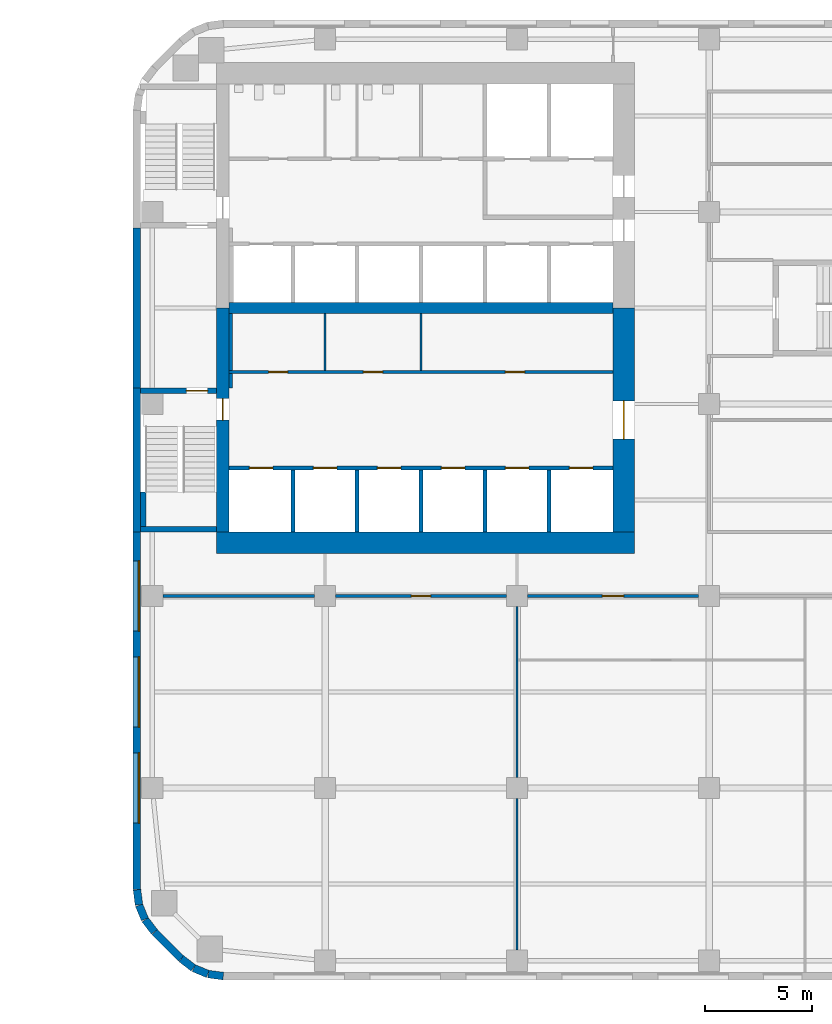
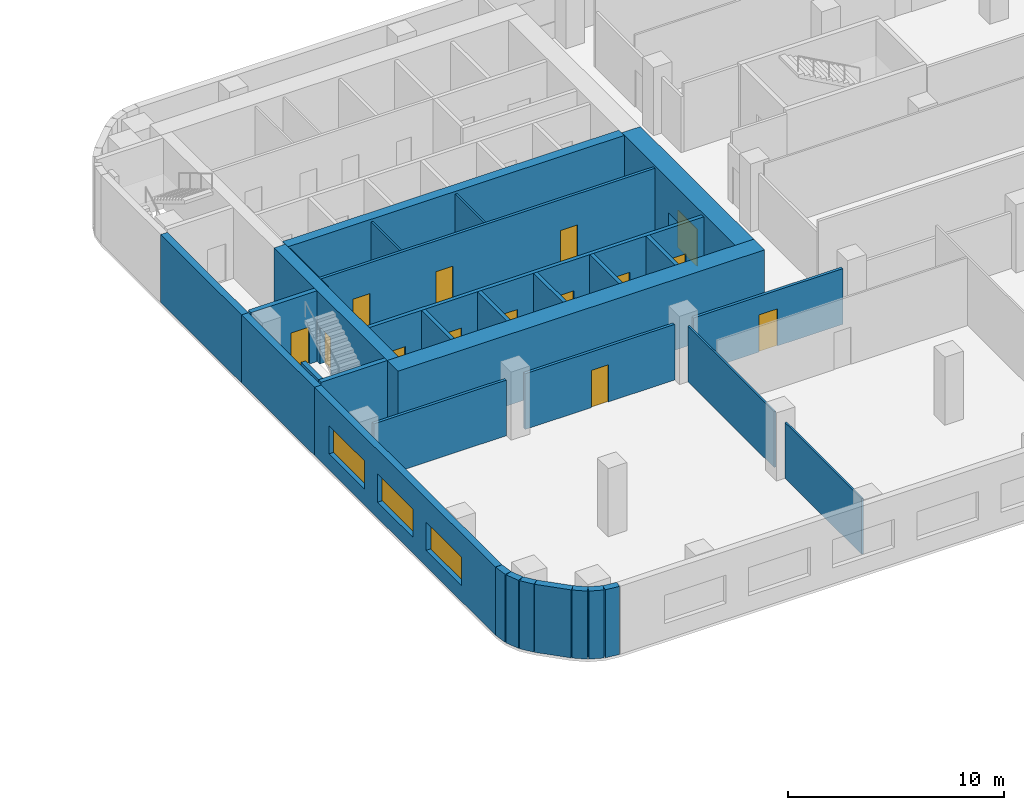
# One storey, part 9 of 16: 33 walls, 14 doors, 3 windows, 17 openings.
"""IFC4 building model written with IfcOpenShell, lengths in metres."""

import ifcopenshell
import ifcopenshell.guid

model = None  # the IFC model being written
_history = None  # IfcOwnerHistory: only IFC2X3 demands one
_inside = {}  # id of a spatial element -> (the spatial element, [elements in it])
_under = {}  # id of a project, library or spatial element -> (it, [spatial elements below it])
_declared = {}  # id of a project -> (the project, [libraries it declares])
_typed = {}  # id of a type object -> (the type object, [elements of that type])
_made_of = {}  # id of a material, layer set ... -> (it, [elements and type objects made of it])


def new_model(schema):
    """Start an empty IFC model of exactly this schema.

    Asked for "IFC4X3", IfcOpenShell would pick the latest addendum, in which some entities
    have other attributes; the version numbers below select the first issue.
    IFC2X3 requires an IfcOwnerHistory on every rooted entity: one is made here for all.
    """
    global model, _history
    if schema == "IFC4X3":
        model = ifcopenshell.file(schema_version=(4, 3, 0, 0))
    else:
        model = ifcopenshell.file(schema=schema)
    _inside.clear()
    _under.clear()
    _declared.clear()
    _typed.clear()
    _made_of.clear()
    _history = None
    if model.schema == "IFC2X3":
        org = make("IfcOrganization", Name="unknown")
        user = make(
            "IfcPersonAndOrganization",
            ThePerson=make("IfcPerson", FamilyName="unknown"),
            TheOrganization=org,
        )
        app = make(
            "IfcApplication",
            ApplicationDeveloper=org,
            Version="unknown",
            ApplicationFullName="unknown",
            ApplicationIdentifier="unknown",
        )
        _history = make(
            "IfcOwnerHistory",
            OwningUser=user,
            OwningApplication=app,
            ChangeAction="ADDED",
            CreationDate=0,
        )
    return model


def make(cls, **values):
    """One entity of the class cls with the attributes given. An attribute that is None is left unset."""
    return model.create_entity(
        cls, **{name: value for name, value in values.items() if value is not None}
    )


def rooted(cls, **values):
    """An entity with a GlobalId (a new one), such as an element, a storey or a relation."""
    return make(cls, GlobalId=ifcopenshell.guid.new(), OwnerHistory=_history, **values)


def si_unit(unit_type, name, prefix=None):
    """IfcSIUnit, for example si_unit("LENGTHUNIT", "METRE", prefix="MILLI")."""
    return make("IfcSIUnit", UnitType=unit_type, Prefix=prefix, Name=name)


def assignment(units):
    """IfcUnitAssignment: the units of a project."""
    return None if units is None else make("IfcUnitAssignment", Units=units)


def point(xyz):
    """IfcCartesianPoint."""
    return None if xyz is None else make("IfcCartesianPoint", Coordinates=xyz)


def direction(xyz):
    """IfcDirection."""
    return None if xyz is None else make("IfcDirection", DirectionRatios=xyz)


def frame(location, z_axis=None, x_axis=None):
    """IfcAxis2Placement3D, a coordinate frame: its origin and axes. An axis left out is left unset."""
    return make(
        "IfcAxis2Placement3D",
        Location=point(location),
        Axis=direction(z_axis),
        RefDirection=direction(x_axis),
    )


def frame_2d(location, x_axis=None):
    """IfcAxis2Placement2D, a coordinate frame in the plane: its origin and x axis."""
    return make(
        "IfcAxis2Placement2D", Location=point(location), RefDirection=direction(x_axis)
    )


def origin():
    """The frame at (0, 0, 0) with its axes left unset."""
    return frame((0.0, 0.0, 0.0))


def place(relative_to, where):
    """IfcLocalPlacement: puts the frame where relative to a parent placement (None: the world)."""
    return make(
        "IfcLocalPlacement", PlacementRelTo=relative_to, RelativePlacement=where
    )


def context(
    kind, dimensions, precision=None, world=None, true_north=None, identifier=None
):
    """IfcGeometricRepresentationContext, for example the 3D "Model" context."""
    return make(
        "IfcGeometricRepresentationContext",
        ContextIdentifier=identifier,
        ContextType=kind,
        CoordinateSpaceDimension=dimensions,
        Precision=precision,
        WorldCoordinateSystem=world,
        TrueNorth=true_north,
    )


def subcontext(parent, identifier, kind, view, scale=None):
    """IfcGeometricRepresentationSubContext, for example "Body" below "Model"."""
    return make(
        "IfcGeometricRepresentationSubContext",
        ContextIdentifier=identifier,
        ContextType=kind,
        ParentContext=parent,
        TargetScale=scale,
        TargetView=view,
    )


def project(units=None, contexts=None):
    """IfcProject with its units and contexts."""
    return rooted(
        "IfcProject",
        Name="project",
        RepresentationContexts=contexts,
        UnitsInContext=assignment(units),
    )


def spatial(cls, under=None, at=None, **own):
    """A site, building, storey or space (cls), placed at a placement, below another one or the project."""
    s = rooted(cls, ObjectPlacement=at, **own)
    if under is not None:
        _under.setdefault(under.id(), (under, []))[1].append(s)
    return s


def profile(cls, at=None, kind="AREA", **sizes):
    """A parametric profile (cls). Its sizes go by their IFC names, for example OverallWidth=200.0."""
    return make(cls, ProfileType=kind, Position=at, **sizes)


def rectangle(**sizes):
    """IfcRectangleProfileDef."""
    return profile("IfcRectangleProfileDef", **sizes)


def extrude(swept, where, along, depth):
    """IfcExtrudedAreaSolid: the profile swept, set in the frame where, extruded along a direction by depth."""
    return make(
        "IfcExtrudedAreaSolid",
        SweptArea=swept,
        Position=where,
        ExtrudedDirection=direction(along),
        Depth=depth,
    )


def shape(context_of_items, identifier, shape_type, items):
    """IfcShapeRepresentation: the items that make up one representation, for example the "Body"."""
    return make(
        "IfcShapeRepresentation",
        ContextOfItems=context_of_items,
        RepresentationIdentifier=identifier,
        RepresentationType=shape_type,
        Items=items,
    )


def material(Name=None, Category=None):
    """IfcMaterial."""
    return make("IfcMaterial", Name=Name, Category=Category)


def layer(
    of_material, thickness, ventilated=None, Name=None, Category=None, Priority=None
):
    """IfcMaterialLayer: one layer of a wall or slab, of a material (None: an air gap)."""
    return make(
        "IfcMaterialLayer",
        Material=of_material,
        LayerThickness=thickness,
        IsVentilated=ventilated,
        Name=Name,
        Category=Category,
        Priority=Priority,
    )


def layer_set(layers, Name=None):
    """IfcMaterialLayerSet."""
    return make("IfcMaterialLayerSet", MaterialLayers=layers, LayerSetName=Name)


def made_of(thing, what):
    """Note that an element or type object is made of a material, layer set ...; save() writes the relation."""
    if what is not None:
        _made_of.setdefault(what.id(), (what, []))[1].append(thing)
    return thing


def type_object(cls, material=None, **own):
    """A type object (cls), such as IfcWallType, which elements share."""
    return made_of(rooted(cls, **own), material)


def element(
    cls,
    number,
    at=None,
    inside=None,
    cuts=None,
    type_object=None,
    material=None,
    context=None,
    identifier="Body",
    shape_type=None,
    held_by="IfcProductDefinitionShape",
    body=None,
    shapes=None,
    **own,
):
    """One element of the class cls, such as IfcWall. Its Tag is "e" and its number.

    at: its placement. inside: the storey or other place that contains it. cuts: it is an
    opening in that element (IfcRelVoidsElement). A single representation is given by context,
    identifier, shape_type and body (its items); several are given by shapes. held_by: the class
    of the entity that holds the representations. save() writes the other relations.
    """
    e = rooted(cls, Tag="e%d" % number, ObjectPlacement=at, **own)
    if body is not None:
        shapes = [shape(context, identifier, shape_type, body)]
    if shapes is not None:
        e.Representation = make(held_by, Representations=shapes)
    if inside is not None:
        _inside.setdefault(inside.id(), (inside, []))[1].append(e)
    if cuts is not None:
        rooted(
            "IfcRelVoidsElement", RelatingBuildingElement=cuts, RelatedOpeningElement=e
        )
    if type_object is not None:
        _typed.setdefault(type_object.id(), (type_object, []))[1].append(e)
    return made_of(e, material)


def fill(opening, filler):
    """IfcRelFillsElement: the door or window that sits in an opening."""
    return rooted(
        "IfcRelFillsElement",
        RelatingOpeningElement=opening,
        RelatedBuildingElement=filler,
    )


def aggregate(whole, parts):
    """IfcRelAggregates: a whole, such as a stair, and the parts it consists of."""
    return rooted("IfcRelAggregates", RelatingObject=whole, RelatedObjects=parts)


def save(model, path):
    """Write the relations noted so far, then the file.

    IfcRelAggregates (storeys below a building ...), IfcRelContainedInSpatialStructure (elements
    in a storey), IfcRelDefinesByType, IfcRelAssociatesMaterial and IfcRelDeclares: one each for
    every whole, place, type object, material and project.
    """
    for whole, parts in _under.values():
        aggregate(whole, parts)
    for where, things in _inside.values():
        rooted(
            "IfcRelContainedInSpatialStructure",
            RelatedElements=things,
            RelatingStructure=where,
        )
    for kind, things in _typed.values():
        rooted("IfcRelDefinesByType", RelatedObjects=things, RelatingType=kind)
    for what, things in _made_of.values():
        rooted("IfcRelAssociatesMaterial", RelatedObjects=things, RelatingMaterial=what)
    for by, libraries in _declared.values():
        rooted("IfcRelDeclares", RelatingContext=by, RelatedDefinitions=libraries)
    model.write(path)


model = new_model("IFC4")

# Units and contexts
model_context = context("Model", 3, precision=1e-05, world=origin(), true_north=direction((0.0, 1.0)))
body_context = subcontext(model_context, "Body", "Model", "MODEL_VIEW")
ifc_project = project(units=[si_unit("LENGTHUNIT", "METRE"), si_unit("AREAUNIT", "SQUARE_METRE"), si_unit("VOLUMEUNIT", "CUBIC_METRE"), si_unit("PLANEANGLEUNIT", "RADIAN"), si_unit("MASSUNIT", "GRAM", prefix="KILO")], contexts=[model_context])

# Site, building, storey
site_placement = place(None, origin())
site = spatial("IfcSite", under=ifc_project, at=site_placement, CompositionType="ELEMENT")
building_placement = place(site_placement, origin())
building = spatial("IfcBuilding", under=site, at=building_placement, Name="Cinnabar Reach Civic Tower", CompositionType="ELEMENT")
storey_placement = place(building_placement, frame((0.0, 0.0, 38.0)))
storey = spatial("IfcBuildingStorey", under=building, at=storey_placement, Name="L08", CompositionType="ELEMENT", Elevation=38.0)

# Walls
ifc_material_1 = material(Name="Facing brick with insulated backing", Category="masonry")
ifc_layer_1 = layer(ifc_material_1, 0.36)
ifc_layer_set_1 = layer_set([ifc_layer_1], Name="Brick corner wall")
wall_type_1 = type_object("IfcWallType", Name="Brick corner wall", PredefinedType="STANDARD", material=ifc_layer_set_1)
for number, where, z_axis, x_axis, name in (
    (1, (0.183, 4.2314, 0.0), (0.0, 0.0, 1.0), (0.13055608231, -0.99144092581, 0.0), "Brick corner wall"),
    (2, (0.2819, 3.5027, 0.0), (0.0, 0.0, 1.0), (0.382702709855, -0.923871547278, 0.0), "Brick corner wall"),
):
    element("IfcWall", number, at=place(storey_placement, frame(where, z_axis=z_axis, x_axis=x_axis)), inside=storey, type_object=wall_type_1, Name=name, PredefinedType="STANDARD", context=body_context, shape_type="SweptSolid", body=[
        extrude(rectangle(XDim=0.7131, YDim=0.36, at=frame_2d((0.3565, 0.0))), origin(), (0.0, 0.0, 1.0), 3.85),
    ])
for number, where, z_axis, x_axis, name in (
    (3, (0.566, 2.8245, 0.0), (0.0, 0.0, 1.0), (0.608802368033, -0.793321924995, 0.0), "Brick corner wall"),
    (4, (2.2587, 1.0002, 0.0), (0.0, 0.0, 1.0), (0.793321924995, -0.608802368033, 0.0), "Brick corner wall"),
):
    element("IfcWall", number, at=place(storey_placement, frame(where, z_axis=z_axis, x_axis=x_axis)), inside=storey, type_object=wall_type_1, Name=name, PredefinedType="STANDARD", context=body_context, shape_type="SweptSolid", body=[
        extrude(rectangle(XDim=0.7132, YDim=0.36, at=frame_2d((0.3566, 0.0))), origin(), (0.0, 0.0, 1.0), 3.85),
    ])
for number, where, z_axis, x_axis, name in (
    (5, (2.8439, 0.5548, 0.0), (0.0, 0.0, 1.0), (0.923871547278, -0.382702709855, 0.0), "Brick corner wall"),
    (6, (3.5244, 0.2761, 0.0), (0.0, 0.0, 1.0), (0.99144092581, -0.13055608231, 0.0), "Brick corner wall"),
):
    element("IfcWall", number, at=place(storey_placement, frame(where, z_axis=z_axis, x_axis=x_axis)), inside=storey, type_object=wall_type_1, Name=name, PredefinedType="STANDARD", context=body_context, shape_type="SweptSolid", body=[
        extrude(rectangle(XDim=0.7131, YDim=0.36, at=frame_2d((0.3565, 0.0))), origin(), (0.0, 0.0, 1.0), 3.85),
    ])
ifc_layer_2 = layer(ifc_material_1, 0.36)
ifc_layer_set_2 = layer_set([ifc_layer_2], Name="Brick pier and spandrel wall")
wall_type_2 = type_object("IfcWallType", Name="Brick pier and spandrel wall", PredefinedType="STANDARD", material=ifc_layer_set_2)
wall_1_placement = place(storey_placement, frame((0.18, 35.25, 0.0), z_axis=(0.0, 0.0, 1.0), x_axis=(0.0, -1.0, 0.0)))
element("IfcWall", 7, at=wall_1_placement, inside=storey, type_object=wall_type_2, Name="Brick facade wall", PredefinedType="STANDARD", context=body_context, shape_type="SweptSolid", body=[
    extrude(rectangle(XDim=7.5, YDim=0.36, at=frame_2d((3.75, 0.0))), origin(), (0.0, 0.0, 1.0), 3.85),
])
wall_2_placement = place(storey_placement, frame((0.18, 27.75, 0.0), z_axis=(0.0, 0.0, 1.0), x_axis=(0.0, -1.0, 0.0)))
element("IfcWall", 8, at=wall_2_placement, inside=storey, type_object=wall_type_2, Name="Brick facade wall", PredefinedType="STANDARD", context=body_context, shape_type="SweptSolid", body=[
    extrude(rectangle(XDim=6.75, YDim=0.36, at=frame_2d((3.375, 0.0))), origin(), (0.0, 0.0, 1.0), 3.85),
])

# Wall, openings, windows
wall_3_placement = place(storey_placement, frame((0.18, 21.0, 0.0), z_axis=(0.0, 0.0, 1.0), x_axis=(0.0, -1.0, 0.0)))
wall_3 = element("IfcWall", 9, at=wall_3_placement, inside=storey, type_object=wall_type_2, Name="Brick facade wall", PredefinedType="STANDARD", context=body_context, shape_type="SweptSolid", body=[
    extrude(rectangle(XDim=16.7574, YDim=0.36, at=frame_2d((8.3787, 0.0))), origin(), (0.0, 0.0, 1.0), 3.85),
])
opening_1_placement = place(wall_3_placement, frame((1.35, 0.0, 0.9)))
opening_1 = element("IfcOpeningElement", 10, at=opening_1_placement, cuts=wall_3, Name="Opening W1102", PredefinedType="OPENING", context=body_context, shape_type="SweptSolid", body=[
    extrude(rectangle(XDim=3.3, YDim=1.6, at=frame_2d((1.65, 0.8))), frame((0.0, 0.19, 0.0), z_axis=(0.0, -1.0, 0.0), x_axis=(1.0, 0.0, 0.0)), (0.0, 0.0, 1.0), 0.38),
])
opening_2_placement = place(wall_3_placement, frame((5.85, 0.0, 0.9)))
opening_2 = element("IfcOpeningElement", 11, at=opening_2_placement, cuts=wall_3, Name="Opening W1103", PredefinedType="OPENING", context=body_context, shape_type="SweptSolid", body=[
    extrude(rectangle(XDim=3.3, YDim=1.6, at=frame_2d((1.65, 0.8))), frame((0.0, 0.19, 0.0), z_axis=(0.0, -1.0, 0.0), x_axis=(1.0, 0.0, 0.0)), (0.0, 0.0, 1.0), 0.38),
])
opening_3_placement = place(wall_3_placement, frame((10.35, 0.0, 0.9)))
opening_3 = element("IfcOpeningElement", 12, at=opening_3_placement, cuts=wall_3, Name="Opening W1104", PredefinedType="OPENING", context=body_context, shape_type="SweptSolid", body=[
    extrude(rectangle(XDim=3.3, YDim=1.6, at=frame_2d((1.65, 0.8))), frame((0.0, 0.19, 0.0), z_axis=(0.0, -1.0, 0.0), x_axis=(1.0, 0.0, 0.0)), (0.0, 0.0, 1.0), 0.38),
])
ifc_material_2 = material(Name="Clear double glazing in aluminium frame", Category="aluminium")
window_type = type_object("IfcWindowType", Name="Deep-set window A", PartitioningType="SINGLE_PANEL", PredefinedType="WINDOW", material=ifc_material_2)
window_1_placement = place(opening_1_placement, origin())
window_1 = element("IfcWindow", 13, at=window_1_placement, inside=storey, type_object=window_type, Name="Window west face", OverallHeight=1.6, OverallWidth=3.3, PartitioningType="SINGLE_PANEL", PredefinedType="WINDOW", context=body_context, shape_type="SweptSolid", body=[
    extrude(rectangle(XDim=3.3, YDim=1.6, at=frame_2d((1.65, 0.8))), frame((0.0, 0.13, 0.0), z_axis=(0.0, -1.0, 0.0), x_axis=(1.0, 0.0, 0.0)), (0.0, 0.0, 1.0), 0.06),
])
fill(opening_1, window_1)
window_2_placement = place(opening_2_placement, origin())
window_2 = element("IfcWindow", 14, at=window_2_placement, inside=storey, type_object=window_type, Name="Window west face", OverallHeight=1.6, OverallWidth=3.3, PartitioningType="SINGLE_PANEL", PredefinedType="WINDOW", context=body_context, shape_type="SweptSolid", body=[
    extrude(rectangle(XDim=3.3, YDim=1.6, at=frame_2d((1.65, 0.8))), frame((0.0, 0.13, 0.0), z_axis=(0.0, -1.0, 0.0), x_axis=(1.0, 0.0, 0.0)), (0.0, 0.0, 1.0), 0.06),
])
fill(opening_2, window_2)
window_3_placement = place(opening_3_placement, origin())
window_3 = element("IfcWindow", 15, at=window_3_placement, inside=storey, type_object=window_type, Name="Window west face", OverallHeight=1.6, OverallWidth=3.3, PartitioningType="SINGLE_PANEL", PredefinedType="WINDOW", context=body_context, shape_type="SweptSolid", body=[
    extrude(rectangle(XDim=3.3, YDim=1.6, at=frame_2d((1.65, 0.8))), frame((0.0, 0.13, 0.0), z_axis=(0.0, -1.0, 0.0), x_axis=(1.0, 0.0, 0.0)), (0.0, 0.0, 1.0), 0.06),
])
fill(opening_3, window_3)

# Walls
wall_4_placement = place(storey_placement, frame((1.006, 2.2486, 0.0), z_axis=(0.0, 0.0, 1.0), x_axis=(0.707106781187, -0.707106781187, 0.0)))
element("IfcWall", 16, at=wall_4_placement, inside=storey, type_object=wall_type_2, Name="Brick facade wall", PredefinedType="STANDARD", context=body_context, shape_type="SweptSolid", body=[
    extrude(rectangle(XDim=1.7573, YDim=0.36, at=frame_2d((0.8787, 0.0))), origin(), (0.0, 0.0, 1.0), 3.85),
])
ifc_material_3 = material(Name="Concrete C70", Category="concrete")
ifc_layer_3 = layer(ifc_material_3, 1.0)
ifc_layer_set_3 = layer_set([ifc_layer_3], Name="Core wall 1000 EI 180")
wall_type_3 = type_object("IfcWallType", Name="Core wall 1000 EI 180", PredefinedType="SOLIDWALL", material=ifc_layer_set_3)
wall_5_placement = place(storey_placement, frame((3.9, 20.5, 0.0), z_axis=(0.0, 0.0, 1.0), x_axis=(1.0, 0.0, 0.0)))
element("IfcWall", 17, at=wall_5_placement, inside=storey, type_object=wall_type_3, Name="Core wall T1 L08 S", PredefinedType="SOLIDWALL", context=body_context, shape_type="SweptSolid", body=[
    extrude(rectangle(XDim=19.6, YDim=1.0, at=frame_2d((9.8, 0.0))), origin(), (0.0, 0.0, 1.0), 4.0),
])

# Wall, opening, door
wall_6_placement = place(storey_placement, frame((23.0, 21.0, 0.0), z_axis=(0.0, 0.0, 1.0), x_axis=(0.0, 1.0, 0.0)))
wall_6 = element("IfcWall", 18, at=wall_6_placement, inside=storey, type_object=wall_type_3, Name="Core wall T1 L08 E", PredefinedType="SOLIDWALL", context=body_context, shape_type="SweptSolid", body=[
    extrude(rectangle(XDim=10.5, YDim=1.0, at=frame_2d((5.25, 0.0))), origin(), (0.0, 0.0, 1.0), 4.0),
])
opening_4_placement = place(wall_6_placement, frame((4.35, 0.0, 0.0)))
opening_4 = element("IfcOpeningElement", 19, at=opening_4_placement, cuts=wall_6, Name="Opening D3330", PredefinedType="OPENING", context=body_context, shape_type="SweptSolid", body=[
    extrude(rectangle(XDim=1.8, YDim=2.1, at=frame_2d((0.9, 1.05))), frame((0.0, 0.51, 0.0), z_axis=(0.0, -1.0, 0.0), x_axis=(1.0, 0.0, 0.0)), (0.0, 0.0, 1.0), 1.02),
])
ifc_material_4 = material(Name="Timber door leaf in steel frame", Category="steel")
door_type_1 = type_object("IfcDoorType", Name="Double swing door 1800 x 2100 T1", OperationType="DOUBLE_DOOR_DOUBLE_SWING", PredefinedType="DOOR", material=ifc_material_4)
door_1_placement = place(opening_4_placement, origin())
door_1 = element("IfcDoor", 20, at=door_1_placement, inside=storey, type_object=door_type_1, Name="Door D3330", OperationType="DOUBLE_DOOR_DOUBLE_SWING", OverallHeight=2.1, OverallWidth=1.8, PredefinedType="DOOR", context=body_context, shape_type="SweptSolid", body=[
    extrude(rectangle(XDim=1.8, YDim=2.1, at=frame_2d((0.9, 1.05))), frame((0.0, 0.025, 0.0), z_axis=(0.0, -1.0, 0.0), x_axis=(1.0, 0.0, 0.0)), (0.0, 0.0, 1.0), 0.05),
])
fill(opening_4, door_1)

# Wall
ifc_material_5 = material(Name="Concrete C60", Category="concrete")
ifc_layer_4 = layer(ifc_material_5, 0.5)
ifc_layer_set_4 = layer_set([ifc_layer_4], Name="Core wall 500 EI 180")
wall_type_4 = type_object("IfcWallType", Name="Core wall 500 EI 180", PredefinedType="SOLIDWALL", material=ifc_layer_set_4)
wall_7_placement = place(storey_placement, frame((4.5, 31.5, 0.0), z_axis=(0.0, 0.0, 1.0), x_axis=(1.0, 0.0, 0.0)))
element("IfcWall", 21, at=wall_7_placement, inside=storey, type_object=wall_type_4, Name="Core spine wall T1 L08", PredefinedType="SOLIDWALL", context=body_context, shape_type="SweptSolid", body=[
    extrude(rectangle(XDim=18.0, YDim=0.5, at=frame_2d((9.0, 0.0))), origin(), (0.0, 0.0, 1.0), 4.0),
])

# Wall, opening, door
ifc_layer_5 = layer(ifc_material_3, 0.6)
ifc_layer_set_5 = layer_set([ifc_layer_5], Name="Core wall 600 EI 180")
wall_type_5 = type_object("IfcWallType", Name="Core wall 600 EI 180", PredefinedType="SOLIDWALL", material=ifc_layer_set_5)
wall_8_placement = place(storey_placement, frame((4.2, 31.5, 0.0), z_axis=(0.0, 0.0, 1.0), x_axis=(0.0, -1.0, 0.0)))
wall_8 = element("IfcWall", 22, at=wall_8_placement, inside=storey, type_object=wall_type_5, Name="Core wall T1 L08 W2", PredefinedType="SOLIDWALL", context=body_context, shape_type="SweptSolid", body=[
    extrude(rectangle(XDim=10.5, YDim=0.6, at=frame_2d((5.25, 0.0))), origin(), (0.0, 0.0, 1.0), 4.0),
])
opening_5_placement = place(wall_8_placement, frame((4.25, 0.0, 0.0)))
opening_5 = element("IfcOpeningElement", 23, at=opening_5_placement, cuts=wall_8, Name="Opening D3314", PredefinedType="OPENING", context=body_context, shape_type="SweptSolid", body=[
    extrude(rectangle(XDim=1.0, YDim=2.1, at=frame_2d((0.5, 1.05))), frame((0.0, 0.31, 0.0), z_axis=(0.0, -1.0, 0.0), x_axis=(1.0, 0.0, 0.0)), (0.0, 0.0, 1.0), 0.62),
])
door_type_2 = type_object("IfcDoorType", Name="Stair door 1000 x 2100 T1", OperationType="SINGLE_SWING_LEFT", PredefinedType="DOOR", material=ifc_material_4)
door_2_placement = place(opening_5_placement, frame((1.0, 0.0, 0.0), z_axis=(0.0, 0.0, 1.0), x_axis=(-1.0, 0.0, 0.0)))
door_2 = element("IfcDoor", 24, at=door_2_placement, inside=storey, type_object=door_type_2, Name="Door D3314", OperationType="SINGLE_SWING_RIGHT", OverallHeight=2.1, OverallWidth=1.0, PredefinedType="DOOR", context=body_context, shape_type="SweptSolid", body=[
    extrude(rectangle(XDim=1.0, YDim=2.1, at=frame_2d((0.5, 1.05))), frame((0.0, 0.025, 0.0), z_axis=(0.0, -1.0, 0.0), x_axis=(1.0, 0.0, 0.0)), (0.0, 0.0, 1.0), 0.05),
])
fill(opening_5, door_2)

ifc_material_6 = material(Name="Gypsum board on steel studs, double layer", Category="steel")
ifc_layer_6 = layer(ifc_material_6, 0.15)
ifc_layer_set_6 = layer_set([ifc_layer_6], Name="Corridor wall 150 T1")
wall_type_6 = type_object("IfcWallType", Name="Corridor wall 150 T1", PredefinedType="PARTITIONING", material=ifc_layer_set_6)
wall_9_placement = place(storey_placement, frame((18.5, 18.0, 0.0), z_axis=(0.0, 0.0, 1.0), x_axis=(1.0, 0.0, 0.0)))
wall_9 = element("IfcWall", 25, at=wall_9_placement, inside=storey, type_object=wall_type_6, Name="Corridor wall 23", PredefinedType="PARTITIONING", context=body_context, shape_type="SweptSolid", body=[
    extrude(rectangle(XDim=8.0, YDim=0.15, at=frame_2d((4.0, 0.0))), origin(), (0.0, 0.0, 1.0), 3.15),
])
opening_6_placement = place(wall_9_placement, frame((3.5, 0.0, 0.0)))
opening_6 = element("IfcOpeningElement", 26, at=opening_6_placement, cuts=wall_9, Name="Opening D3346", PredefinedType="OPENING", context=body_context, shape_type="SweptSolid", body=[
    extrude(rectangle(XDim=1.0, YDim=2.1, at=frame_2d((0.5, 1.05))), frame((0.0, 0.085, 0.0), z_axis=(0.0, -1.0, 0.0), x_axis=(1.0, 0.0, 0.0)), (0.0, 0.0, 1.0), 0.17),
])
door_type_3 = type_object("IfcDoorType", Name="Tenancy entrance door 1000 x 2100 T1", OperationType="SINGLE_SWING_LEFT", PredefinedType="DOOR", material=ifc_material_4)
door_3_placement = place(opening_6_placement, frame((1.0, 0.0, 0.0), z_axis=(0.0, 0.0, 1.0), x_axis=(-1.0, 0.0, 0.0)))
door_3 = element("IfcDoor", 27, at=door_3_placement, inside=storey, type_object=door_type_3, Name="Door D3346", OperationType="SINGLE_SWING_LEFT", OverallHeight=2.1, OverallWidth=1.0, PredefinedType="DOOR", context=body_context, shape_type="SweptSolid", body=[
    extrude(rectangle(XDim=1.0, YDim=2.1, at=frame_2d((0.5, 1.05))), frame((0.0, 0.025, 0.0), z_axis=(0.0, -1.0, 0.0), x_axis=(1.0, 0.0, 0.0)), (0.0, 0.0, 1.0), 0.05),
])
fill(opening_6, door_3)

wall_10_placement = place(storey_placement, frame((9.5, 18.0, 0.0), z_axis=(0.0, 0.0, 1.0), x_axis=(1.0, 0.0, 0.0)))
wall_10 = element("IfcWall", 28, at=wall_10_placement, inside=storey, type_object=wall_type_6, Name="Corridor wall 24", PredefinedType="PARTITIONING", context=body_context, shape_type="SweptSolid", body=[
    extrude(rectangle(XDim=8.0, YDim=0.15, at=frame_2d((4.0, 0.0))), origin(), (0.0, 0.0, 1.0), 3.15),
])
opening_7_placement = place(wall_10_placement, frame((3.55, 0.0, 0.0)))
opening_7 = element("IfcOpeningElement", 29, at=opening_7_placement, cuts=wall_10, Name="Opening D3345", PredefinedType="OPENING", context=body_context, shape_type="SweptSolid", body=[
    extrude(rectangle(XDim=0.9, YDim=2.1, at=frame_2d((0.45, 1.05))), frame((0.0, 0.085, 0.0), z_axis=(0.0, -1.0, 0.0), x_axis=(1.0, 0.0, 0.0)), (0.0, 0.0, 1.0), 0.17),
])
door_type_4 = type_object("IfcDoorType", Name="Single swing door 900 x 2100 corridor T1", OperationType="SINGLE_SWING_LEFT", PredefinedType="DOOR", material=ifc_material_4)
door_4_placement = place(opening_7_placement, frame((0.9, 0.0, 0.0), z_axis=(0.0, 0.0, 1.0), x_axis=(-1.0, 0.0, 0.0)))
door_4 = element("IfcDoor", 30, at=door_4_placement, inside=storey, type_object=door_type_4, Name="Door D3345", OperationType="SINGLE_SWING_LEFT", OverallHeight=2.1, OverallWidth=0.9, PredefinedType="DOOR", context=body_context, shape_type="SweptSolid", body=[
    extrude(rectangle(XDim=0.9, YDim=2.1, at=frame_2d((0.45, 1.05))), frame((0.0, 0.025, 0.0), z_axis=(0.0, -1.0, 0.0), x_axis=(1.0, 0.0, 0.0)), (0.0, 0.0, 1.0), 0.05),
])
fill(opening_7, door_4)

# Wall
wall_11_placement = place(storey_placement, frame((1.4, 18.0, 0.0), z_axis=(0.0, 0.0, 1.0), x_axis=(1.0, 0.0, 0.0)))
element("IfcWall", 31, at=wall_11_placement, inside=storey, type_object=wall_type_6, Name="Corridor wall 25", PredefinedType="PARTITIONING", context=body_context, shape_type="SweptSolid", body=[
    extrude(rectangle(XDim=7.1, YDim=0.15, at=frame_2d((3.55, 0.0))), origin(), (0.0, 0.0, 1.0), 3.15),
])

# Wall, openings, doors
wall_12_placement = place(storey_placement, frame((4.5, 28.5, 0.0), z_axis=(0.0, 0.0, 1.0), x_axis=(1.0, 0.0, 0.0)))
wall_12 = element("IfcWall", 32, at=wall_12_placement, inside=storey, type_object=wall_type_6, Name="Corridor wall 28", PredefinedType="PARTITIONING", context=body_context, shape_type="SweptSolid", body=[
    extrude(rectangle(XDim=18.0, YDim=0.15, at=frame_2d((9.0, 0.0))), origin(), (0.0, 0.0, 1.0), 3.85),
])
opening_8_placement = place(wall_12_placement, frame((1.85, 0.0, 0.0)))
opening_8 = element("IfcOpeningElement", 33, at=opening_8_placement, cuts=wall_12, Name="Opening D3334", PredefinedType="OPENING", context=body_context, shape_type="SweptSolid", body=[
    extrude(rectangle(XDim=0.9, YDim=2.1, at=frame_2d((0.45, 1.05))), frame((0.0, 0.085, 0.0), z_axis=(0.0, -1.0, 0.0), x_axis=(1.0, 0.0, 0.0)), (0.0, 0.0, 1.0), 0.17),
])
opening_9_placement = place(wall_12_placement, frame((6.3, 0.0, 0.0)))
opening_9 = element("IfcOpeningElement", 34, at=opening_9_placement, cuts=wall_12, Name="Opening D3335", PredefinedType="OPENING", context=body_context, shape_type="SweptSolid", body=[
    extrude(rectangle(XDim=0.9, YDim=2.1, at=frame_2d((0.45, 1.05))), frame((0.0, 0.085, 0.0), z_axis=(0.0, -1.0, 0.0), x_axis=(1.0, 0.0, 0.0)), (0.0, 0.0, 1.0), 0.17),
])
opening_10_placement = place(wall_12_placement, frame((12.95, 0.0, 0.0)))
opening_10 = element("IfcOpeningElement", 35, at=opening_10_placement, cuts=wall_12, Name="Opening D3336", PredefinedType="OPENING", context=body_context, shape_type="SweptSolid", body=[
    extrude(rectangle(XDim=0.9, YDim=2.1, at=frame_2d((0.45, 1.05))), frame((0.0, 0.085, 0.0), z_axis=(0.0, -1.0, 0.0), x_axis=(1.0, 0.0, 0.0)), (0.0, 0.0, 1.0), 0.17),
])
door_5_placement = place(opening_8_placement, origin())
door_5 = element("IfcDoor", 36, at=door_5_placement, inside=storey, type_object=door_type_4, Name="Door D3334", OperationType="SINGLE_SWING_LEFT", OverallHeight=2.1, OverallWidth=0.9, PredefinedType="DOOR", context=body_context, shape_type="SweptSolid", body=[
    extrude(rectangle(XDim=0.9, YDim=2.1, at=frame_2d((0.45, 1.05))), frame((0.0, 0.025, 0.0), z_axis=(0.0, -1.0, 0.0), x_axis=(1.0, 0.0, 0.0)), (0.0, 0.0, 1.0), 0.05),
])
fill(opening_8, door_5)
door_6_placement = place(opening_9_placement, origin())
door_6 = element("IfcDoor", 37, at=door_6_placement, inside=storey, type_object=door_type_4, Name="Door D3335", OperationType="SINGLE_SWING_LEFT", OverallHeight=2.1, OverallWidth=0.9, PredefinedType="DOOR", context=body_context, shape_type="SweptSolid", body=[
    extrude(rectangle(XDim=0.9, YDim=2.1, at=frame_2d((0.45, 1.05))), frame((0.0, 0.025, 0.0), z_axis=(0.0, -1.0, 0.0), x_axis=(1.0, 0.0, 0.0)), (0.0, 0.0, 1.0), 0.05),
])
fill(opening_9, door_6)
door_7_placement = place(opening_10_placement, origin())
door_7 = element("IfcDoor", 38, at=door_7_placement, inside=storey, type_object=door_type_4, Name="Door D3336", OperationType="SINGLE_SWING_LEFT", OverallHeight=2.1, OverallWidth=0.9, PredefinedType="DOOR", context=body_context, shape_type="SweptSolid", body=[
    extrude(rectangle(XDim=0.9, YDim=2.1, at=frame_2d((0.45, 1.05))), frame((0.0, 0.025, 0.0), z_axis=(0.0, -1.0, 0.0), x_axis=(1.0, 0.0, 0.0)), (0.0, 0.0, 1.0), 0.05),
])
fill(opening_10, door_7)

# Walls
wall_13_placement = place(storey_placement, frame((4.575, 27.75, 0.0), z_axis=(0.0, 0.0, 1.0), x_axis=(0.0, 1.0, 0.0)))
element("IfcWall", 39, at=wall_13_placement, inside=storey, type_object=wall_type_6, Name="Corridor wall 34", PredefinedType="PARTITIONING", context=body_context, shape_type="SweptSolid", body=[
    extrude(rectangle(XDim=0.675, YDim=0.15, at=frame_2d((0.3375, 0.0))), origin(), (0.0, 0.0, 1.0), 3.85),
])
wall_14_placement = place(storey_placement, frame((4.575, 28.575, 0.0), z_axis=(0.0, 0.0, 1.0), x_axis=(0.0, 1.0, 0.0)))
element("IfcWall", 40, at=wall_14_placement, inside=storey, type_object=wall_type_6, Name="Corridor wall 35", PredefinedType="PARTITIONING", context=body_context, shape_type="SweptSolid", body=[
    extrude(rectangle(XDim=2.675, YDim=0.15, at=frame_2d((1.3375, 0.0))), origin(), (0.0, 0.0, 1.0), 3.85),
])

# Wall, openings, doors
ifc_material_7 = material(Name="Blockwork", Category="masonry")
ifc_layer_7 = layer(ifc_material_7, 0.2)
ifc_layer_set_7 = layer_set([ifc_layer_7], Name="Lift shaft wall 200 T1")
wall_type_7 = type_object("IfcWallType", Name="Lift shaft wall 200 T1", PredefinedType="PARTITIONING", material=ifc_layer_set_7)
wall_15_placement = place(storey_placement, frame((4.5, 24.0, 0.0), z_axis=(0.0, 0.0, 1.0), x_axis=(1.0, 0.0, 0.0)))
wall_15 = element("IfcWall", 41, at=wall_15_placement, inside=storey, type_object=wall_type_7, Name="Lift shaft wall 4", PredefinedType="PARTITIONING", context=body_context, shape_type="SweptSolid", body=[
    extrude(rectangle(XDim=18.0, YDim=0.2, at=frame_2d((9.0, 0.0))), origin(), (0.0, 0.0, 1.0), 3.85),
])
opening_11_placement = place(wall_15_placement, frame((0.95, 0.0, 0.0)))
opening_11 = element("IfcOpeningElement", 42, at=opening_11_placement, cuts=wall_15, Name="Opening D3318", PredefinedType="OPENING", context=body_context, shape_type="SweptSolid", body=[
    extrude(rectangle(XDim=1.1, YDim=2.1, at=frame_2d((0.55, 1.05))), frame((0.0, 0.11, 0.0), z_axis=(0.0, -1.0, 0.0), x_axis=(1.0, 0.0, 0.0)), (0.0, 0.0, 1.0), 0.22),
])
opening_12_placement = place(wall_15_placement, frame((3.95, 0.0, 0.0)))
opening_12 = element("IfcOpeningElement", 43, at=opening_12_placement, cuts=wall_15, Name="Opening D3319", PredefinedType="OPENING", context=body_context, shape_type="SweptSolid", body=[
    extrude(rectangle(XDim=1.1, YDim=2.1, at=frame_2d((0.55, 1.05))), frame((0.0, 0.11, 0.0), z_axis=(0.0, -1.0, 0.0), x_axis=(1.0, 0.0, 0.0)), (0.0, 0.0, 1.0), 0.22),
])
opening_13_placement = place(wall_15_placement, frame((6.95, 0.0, 0.0)))
opening_13 = element("IfcOpeningElement", 44, at=opening_13_placement, cuts=wall_15, Name="Opening D3320", PredefinedType="OPENING", context=body_context, shape_type="SweptSolid", body=[
    extrude(rectangle(XDim=1.1, YDim=2.1, at=frame_2d((0.55, 1.05))), frame((0.0, 0.11, 0.0), z_axis=(0.0, -1.0, 0.0), x_axis=(1.0, 0.0, 0.0)), (0.0, 0.0, 1.0), 0.22),
])
opening_14_placement = place(wall_15_placement, frame((9.95, 0.0, 0.0)))
opening_14 = element("IfcOpeningElement", 45, at=opening_14_placement, cuts=wall_15, Name="Opening D3321", PredefinedType="OPENING", context=body_context, shape_type="SweptSolid", body=[
    extrude(rectangle(XDim=1.1, YDim=2.1, at=frame_2d((0.55, 1.05))), frame((0.0, 0.11, 0.0), z_axis=(0.0, -1.0, 0.0), x_axis=(1.0, 0.0, 0.0)), (0.0, 0.0, 1.0), 0.22),
])
opening_15_placement = place(wall_15_placement, frame((12.95, 0.0, 0.0)))
opening_15 = element("IfcOpeningElement", 46, at=opening_15_placement, cuts=wall_15, Name="Opening D3322", PredefinedType="OPENING", context=body_context, shape_type="SweptSolid", body=[
    extrude(rectangle(XDim=1.1, YDim=2.1, at=frame_2d((0.55, 1.05))), frame((0.0, 0.11, 0.0), z_axis=(0.0, -1.0, 0.0), x_axis=(1.0, 0.0, 0.0)), (0.0, 0.0, 1.0), 0.22),
])
opening_16_placement = place(wall_15_placement, frame((15.95, 0.0, 0.0)))
opening_16 = element("IfcOpeningElement", 47, at=opening_16_placement, cuts=wall_15, Name="Opening D3323", PredefinedType="OPENING", context=body_context, shape_type="SweptSolid", body=[
    extrude(rectangle(XDim=1.1, YDim=2.1, at=frame_2d((0.55, 1.05))), frame((0.0, 0.11, 0.0), z_axis=(0.0, -1.0, 0.0), x_axis=(1.0, 0.0, 0.0)), (0.0, 0.0, 1.0), 0.22),
])
ifc_material_8 = material(Name="Stainless steel sliding door", Category="steel")
door_type_5 = type_object("IfcDoorType", Name="Lift landing door 1100 x 2100 T1", OperationType="SLIDING_TO_LEFT", PredefinedType="DOOR", material=ifc_material_8)
door_8_placement = place(opening_11_placement, origin())
door_8 = element("IfcDoor", 48, at=door_8_placement, inside=storey, type_object=door_type_5, Name="Lift landing door LR1 L08", OperationType="SLIDING_TO_LEFT", OverallHeight=2.1, OverallWidth=1.1, PredefinedType="DOOR", context=body_context, shape_type="SweptSolid", body=[
    extrude(rectangle(XDim=1.1, YDim=2.1, at=frame_2d((0.55, 1.05))), frame((0.0, 0.025, 0.0), z_axis=(0.0, -1.0, 0.0), x_axis=(1.0, 0.0, 0.0)), (0.0, 0.0, 1.0), 0.05),
])
fill(opening_11, door_8)
door_9_placement = place(opening_12_placement, origin())
door_9 = element("IfcDoor", 49, at=door_9_placement, inside=storey, type_object=door_type_5, Name="Lift landing door LR2 L08", OperationType="SLIDING_TO_LEFT", OverallHeight=2.1, OverallWidth=1.1, PredefinedType="DOOR", context=body_context, shape_type="SweptSolid", body=[
    extrude(rectangle(XDim=1.1, YDim=2.1, at=frame_2d((0.55, 1.05))), frame((0.0, 0.025, 0.0), z_axis=(0.0, -1.0, 0.0), x_axis=(1.0, 0.0, 0.0)), (0.0, 0.0, 1.0), 0.05),
])
fill(opening_12, door_9)
door_10_placement = place(opening_13_placement, origin())
door_10 = element("IfcDoor", 50, at=door_10_placement, inside=storey, type_object=door_type_5, Name="Lift landing door LR3 L08", OperationType="SLIDING_TO_LEFT", OverallHeight=2.1, OverallWidth=1.1, PredefinedType="DOOR", context=body_context, shape_type="SweptSolid", body=[
    extrude(rectangle(XDim=1.1, YDim=2.1, at=frame_2d((0.55, 1.05))), frame((0.0, 0.025, 0.0), z_axis=(0.0, -1.0, 0.0), x_axis=(1.0, 0.0, 0.0)), (0.0, 0.0, 1.0), 0.05),
])
fill(opening_13, door_10)
door_11_placement = place(opening_14_placement, origin())
door_11 = element("IfcDoor", 51, at=door_11_placement, inside=storey, type_object=door_type_5, Name="Lift landing door LR4 L08", OperationType="SLIDING_TO_LEFT", OverallHeight=2.1, OverallWidth=1.1, PredefinedType="DOOR", context=body_context, shape_type="SweptSolid", body=[
    extrude(rectangle(XDim=1.1, YDim=2.1, at=frame_2d((0.55, 1.05))), frame((0.0, 0.025, 0.0), z_axis=(0.0, -1.0, 0.0), x_axis=(1.0, 0.0, 0.0)), (0.0, 0.0, 1.0), 0.05),
])
fill(opening_14, door_11)
door_12_placement = place(opening_15_placement, origin())
door_12 = element("IfcDoor", 52, at=door_12_placement, inside=storey, type_object=door_type_5, Name="Lift landing door LR5 L08", OperationType="SLIDING_TO_LEFT", OverallHeight=2.1, OverallWidth=1.1, PredefinedType="DOOR", context=body_context, shape_type="SweptSolid", body=[
    extrude(rectangle(XDim=1.1, YDim=2.1, at=frame_2d((0.55, 1.05))), frame((0.0, 0.025, 0.0), z_axis=(0.0, -1.0, 0.0), x_axis=(1.0, 0.0, 0.0)), (0.0, 0.0, 1.0), 0.05),
])
fill(opening_15, door_12)
door_13_placement = place(opening_16_placement, origin())
door_13 = element("IfcDoor", 53, at=door_13_placement, inside=storey, type_object=door_type_5, Name="Lift landing door LR6 L08", OperationType="SLIDING_TO_LEFT", OverallHeight=2.1, OverallWidth=1.1, PredefinedType="DOOR", context=body_context, shape_type="SweptSolid", body=[
    extrude(rectangle(XDim=1.1, YDim=2.1, at=frame_2d((0.55, 1.05))), frame((0.0, 0.025, 0.0), z_axis=(0.0, -1.0, 0.0), x_axis=(1.0, 0.0, 0.0)), (0.0, 0.0, 1.0), 0.05),
])
fill(opening_16, door_13)

# Walls
for number, where, z_axis, x_axis, name in (
    (54, (7.5, 21.0, 0.0), (0.0, 0.0, 1.0), (0.0, 1.0, 0.0), "Lift shaft wall 9"),
    (55, (10.5, 21.0, 0.0), (0.0, 0.0, 1.0), (0.0, 1.0, 0.0), "Lift shaft wall 11"),
    (56, (13.5, 21.0, 0.0), (0.0, 0.0, 1.0), (0.0, 1.0, 0.0), "Lift shaft wall 13"),
    (57, (16.5, 21.0, 0.0), (0.0, 0.0, 1.0), (0.0, 1.0, 0.0), "Lift shaft wall 15"),
    (58, (19.5, 21.0, 0.0), (0.0, 0.0, 1.0), (0.0, 1.0, 0.0), "Lift shaft wall 17"),
):
    element("IfcWall", number, at=place(storey_placement, frame(where, z_axis=z_axis, x_axis=x_axis)), inside=storey, type_object=wall_type_7, Name=name, PredefinedType="PARTITIONING", context=body_context, shape_type="SweptSolid", body=[
        extrude(rectangle(XDim=2.9, YDim=0.2, at=frame_2d((1.45, 0.0))), origin(), (0.0, 0.0, 1.0), 3.85),
    ])
ifc_material_9 = material(Name="Gypsum board on steel studs", Category="steel")
ifc_layer_8 = layer(ifc_material_9, 0.1)
ifc_layer_set_8 = layer_set([ifc_layer_8], Name="Partition wall 100 T1")
wall_type_8 = type_object("IfcWallType", Name="Partition wall 100 T1", PredefinedType="PARTITIONING", material=ifc_layer_set_8)
wall_16_placement = place(storey_placement, frame((18.0, 1.4, 0.0), z_axis=(0.0, 0.0, 1.0), x_axis=(0.0, 1.0, 0.0)))
element("IfcWall", 59, at=wall_16_placement, inside=storey, type_object=wall_type_8, Name="Partition wall 45", PredefinedType="PARTITIONING", context=body_context, shape_type="SweptSolid", body=[
    extrude(rectangle(XDim=7.1, YDim=0.1, at=frame_2d((3.55, 0.0))), origin(), (0.0, 0.0, 1.0), 3.158),
])
wall_17_placement = place(storey_placement, frame((18.0, 9.5, 0.0), z_axis=(0.0, 0.0, 1.0), x_axis=(0.0, 1.0, 0.0)))
element("IfcWall", 60, at=wall_17_placement, inside=storey, type_object=wall_type_8, Name="Partition wall 46", PredefinedType="PARTITIONING", context=body_context, shape_type="SweptSolid", body=[
    extrude(rectangle(XDim=8.0, YDim=0.1, at=frame_2d((4.0, 0.0))), origin(), (0.0, 0.0, 1.0), 3.158),
])
for number, where, z_axis, x_axis, name in (
    (61, (9.0, 28.575, 0.0), (0.0, 0.0, 1.0), (0.0, 1.0, 0.0), "Partition wall 53"),
    (62, (13.5, 28.575, 0.0), (0.0, 0.0, 1.0), (0.0, 1.0, 0.0), "Partition wall 54"),
):
    element("IfcWall", number, at=place(storey_placement, frame(where, z_axis=z_axis, x_axis=x_axis)), inside=storey, type_object=wall_type_8, Name=name, PredefinedType="PARTITIONING", context=body_context, shape_type="SweptSolid", body=[
        extrude(rectangle(XDim=2.675, YDim=0.1, at=frame_2d((1.3375, 0.0))), origin(), (0.0, 0.0, 1.0), 3.85),
    ])
ifc_layer_9 = layer(ifc_material_5, 0.25)
ifc_layer_set_9 = layer_set([ifc_layer_9], Name="Stair shaft wall 250 EI 120")
wall_type_9 = type_object("IfcWallType", Name="Stair shaft wall 250 EI 120", PredefinedType="SOLIDWALL", material=ifc_layer_set_9)
wall_18_placement = place(storey_placement, frame((0.36, 21.125, 0.0), z_axis=(0.0, 0.0, 1.0), x_axis=(1.0, 0.0, 0.0)))
element("IfcWall", 63, at=wall_18_placement, inside=storey, type_object=wall_type_9, Name="Stair shaft wall T1-S1 L08", PredefinedType="SOLIDWALL", context=body_context, shape_type="SweptSolid", body=[
    extrude(rectangle(XDim=3.54, YDim=0.25, at=frame_2d((1.77, 0.0))), origin(), (0.0, 0.0, 1.0), 4.0),
])

# Wall, opening, door
wall_19_placement = place(storey_placement, frame((3.9, 27.625, 0.0), z_axis=(0.0, 0.0, 1.0), x_axis=(-1.0, 0.0, 0.0)))
wall_19 = element("IfcWall", 64, at=wall_19_placement, inside=storey, type_object=wall_type_9, Name="Stair shaft wall T1-S1 L08", PredefinedType="SOLIDWALL", context=body_context, shape_type="SweptSolid", body=[
    extrude(rectangle(XDim=3.54, YDim=0.25, at=frame_2d((1.77, 0.0))), origin(), (0.0, 0.0, 1.0), 4.0),
])
opening_17_placement = place(wall_19_placement, frame((0.4, 0.0, 0.0)))
opening_17 = element("IfcOpeningElement", 65, at=opening_17_placement, cuts=wall_19, Name="Opening D3315", PredefinedType="OPENING", context=body_context, shape_type="SweptSolid", body=[
    extrude(rectangle(XDim=1.0, YDim=2.1, at=frame_2d((0.5, 1.05))), frame((0.0, 0.135, 0.0), z_axis=(0.0, -1.0, 0.0), x_axis=(1.0, 0.0, 0.0)), (0.0, 0.0, 1.0), 0.27),
])
door_14_placement = place(opening_17_placement, origin())
door_14 = element("IfcDoor", 66, at=door_14_placement, inside=storey, type_object=door_type_2, Name="Door D3315", OperationType="SINGLE_SWING_LEFT", OverallHeight=2.1, OverallWidth=1.0, PredefinedType="DOOR", context=body_context, shape_type="SweptSolid", body=[
    extrude(rectangle(XDim=1.0, YDim=2.1, at=frame_2d((0.5, 1.05))), frame((0.0, 0.025, 0.0), z_axis=(0.0, -1.0, 0.0), x_axis=(1.0, 0.0, 0.0)), (0.0, 0.0, 1.0), 0.05),
])
fill(opening_17, door_14)

# Wall
ifc_material_10 = material(Name="Concrete C40/50", Category="concrete")
ifc_layer_10 = layer(ifc_material_10, 0.24)
ifc_layer_set_10 = layer_set([ifc_layer_10], Name="T1 landing bearer wall 240")
wall_type_10 = type_object("IfcWallType", Name="T1 landing bearer wall 240", PredefinedType="STANDARD", material=ifc_layer_set_10)
wall_20_placement = place(storey_placement, frame((0.48, 21.25, 0.0), z_axis=(0.0, 0.0, 1.0), x_axis=(0.0, 1.0, 0.0)))
element("IfcWall", 67, at=wall_20_placement, inside=storey, type_object=wall_type_10, Name="T1-S1 landing bearer wall", PredefinedType="STANDARD", context=body_context, shape_type="SweptSolid", body=[
    extrude(rectangle(XDim=1.62, YDim=0.24, at=frame_2d((0.81, 0.0))), origin(), (0.0, 0.0, 1.0), 4.0),
])

save(model, "model.ifc")
